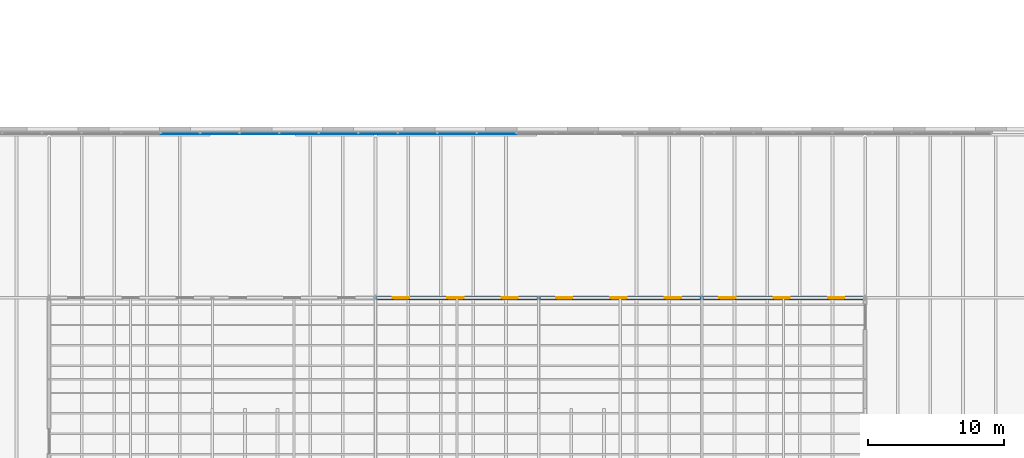
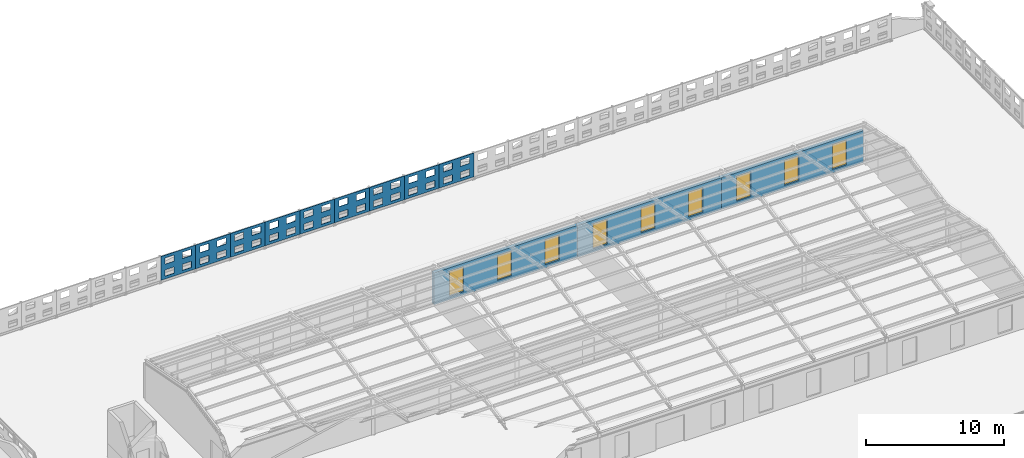
# One storey, part 60 of 91: 12 walls, 9 windows, 45 openings.
"""IFC4 building model written with IfcOpenShell, lengths in metres."""

from ifc_helpers import new_model, si_unit, direction, frame, frame_2d, origin, place, context, subcontext, project, spatial, rectangle, extrude, material, layer, layer_set, type_object, element, fill, save


model = new_model("IFC4")

# Units and contexts
model_context = context("Model", 3, precision=1e-05, world=origin(), true_north=direction((0.0, 1.0)))
body_context = subcontext(model_context, "Body", "Model", "MODEL_VIEW")
ifc_project = project(units=[si_unit("LENGTHUNIT", "METRE"), si_unit("AREAUNIT", "SQUARE_METRE"), si_unit("VOLUMEUNIT", "CUBIC_METRE"), si_unit("PLANEANGLEUNIT", "RADIAN"), si_unit("MASSUNIT", "GRAM", prefix="KILO")], contexts=[model_context])

# Site, building, storey
site_placement = place(None, origin())
site = spatial("IfcSite", under=ifc_project, at=site_placement, CompositionType="ELEMENT")
building_placement = place(site_placement, origin())
building = spatial("IfcBuilding", under=site, at=building_placement, Name="Ravi Spectrum Wholesale Market", CompositionType="ELEMENT")
storey_placement = place(building_placement, frame((0.0, 0.0, 16.199951171875)))
storey = spatial("IfcBuildingStorey", under=building, at=storey_placement, Name="ROOF PLANT LEVEL", CompositionType="ELEMENT", Elevation=16.199951171875)

# Wall, openings, windows
ifc_material_1 = material(Name="Clinker brickwork", Category="masonry")
ifc_layer_1 = layer(ifc_material_1, 0.300048828125)
ifc_layer_set_1 = layer_set([ifc_layer_1], Name="Clinker brickwork")
wall_type_1 = type_object("IfcWallType", Name="Brick 300 plant house", PredefinedType="SOLIDWALL", material=ifc_layer_set_1)
wall_1_placement = place(storey_placement, frame((234.0, 54.0, 0.0), z_axis=(0.0, 0.0, 1.0), x_axis=(1.0, 0.0, 0.0)))
wall_1 = element("IfcWall", 1, at=wall_1_placement, inside=storey, type_object=wall_type_1, Name="CS-WL-ROOF-119", PredefinedType="SOLIDWALL", context=body_context, shape_type="SweptSolid", body=[
    extrude(rectangle(XDim=12.0, YDim=0.300048828125, at=frame_2d((6.0, 0.0))), origin(), (0.0, 0.0, 1.0), 2.812255859375),
])
opening_1_placement = place(wall_1_placement, frame((1.280029296875, 0.0, 0.300048828125)))
opening_1 = element("IfcOpeningElement", 2, at=opening_1_placement, cuts=wall_1, Name="Opening W2679", PredefinedType="OPENING", context=body_context, shape_type="SweptSolid", body=[
    extrude(rectangle(XDim=1.199951171875, YDim=2.199951171875, at=frame_2d((0.60009765625, 1.10009765625))), frame((0.0, 0.159912109375, 0.0), z_axis=(0.0, -1.0, 0.0), x_axis=(1.0, 0.0, 0.0)), (0.0, 0.0, 1.0), 0.320068359375),
])
opening_2_placement = place(wall_1_placement, frame((5.280029296875, 0.0, 0.300048828125)))
opening_2 = element("IfcOpeningElement", 3, at=opening_2_placement, cuts=wall_1, Name="Opening W2680", PredefinedType="OPENING", context=body_context, shape_type="SweptSolid", body=[
    extrude(rectangle(XDim=1.199951171875, YDim=2.199951171875, at=frame_2d((0.60009765625, 1.10009765625))), frame((0.0, 0.159912109375, 0.0), z_axis=(0.0, -1.0, 0.0), x_axis=(1.0, 0.0, 0.0)), (0.0, 0.0, 1.0), 0.320068359375),
])
opening_3_placement = place(wall_1_placement, frame((9.280029296875, 0.0, 0.300048828125)))
opening_3 = element("IfcOpeningElement", 4, at=opening_3_placement, cuts=wall_1, Name="Opening W2681", PredefinedType="OPENING", context=body_context, shape_type="SweptSolid", body=[
    extrude(rectangle(XDim=1.199951171875, YDim=2.199951171875, at=frame_2d((0.60009765625, 1.10009765625))), frame((0.0, 0.159912109375, 0.0), z_axis=(0.0, -1.0, 0.0), x_axis=(1.0, 0.0, 0.0)), (0.0, 0.0, 1.0), 0.320068359375),
])
ifc_material_2 = material(Name="Galvanised steel louvre", Category="steel")
window_type = type_object("IfcWindowType", Name="Plant louvre 1200 x 2200", PartitioningType="SINGLE_PANEL", PredefinedType="WINDOW", material=ifc_material_2)
window_1_placement = place(opening_1_placement, origin())
window_1 = element("IfcWindow", 5, at=window_1_placement, inside=storey, type_object=window_type, Name="Window W2679", OverallHeight=2.199951171875, OverallWidth=1.199951171875, PartitioningType="SINGLE_PANEL", PredefinedType="WINDOW", context=body_context, shape_type="SweptSolid", body=[
    extrude(rectangle(XDim=1.199951171875, YDim=2.199951171875, at=frame_2d((0.60009765625, 1.10009765625))), frame((0.0, 0.030029296875, 0.0), z_axis=(0.0, -1.0, 0.0), x_axis=(1.0, 0.0, 0.0)), (0.0, 0.0, 1.0), 0.06005859375),
])
fill(opening_1, window_1)
window_2_placement = place(opening_2_placement, origin())
window_2 = element("IfcWindow", 6, at=window_2_placement, inside=storey, type_object=window_type, Name="Window W2680", OverallHeight=2.199951171875, OverallWidth=1.199951171875, PartitioningType="SINGLE_PANEL", PredefinedType="WINDOW", context=body_context, shape_type="SweptSolid", body=[
    extrude(rectangle(XDim=1.199951171875, YDim=2.199951171875, at=frame_2d((0.60009765625, 1.10009765625))), frame((0.0, 0.030029296875, 0.0), z_axis=(0.0, -1.0, 0.0), x_axis=(1.0, 0.0, 0.0)), (0.0, 0.0, 1.0), 0.06005859375),
])
fill(opening_2, window_2)
window_3_placement = place(opening_3_placement, origin())
window_3 = element("IfcWindow", 7, at=window_3_placement, inside=storey, type_object=window_type, Name="Window W2681", OverallHeight=2.199951171875, OverallWidth=1.199951171875, PartitioningType="SINGLE_PANEL", PredefinedType="WINDOW", context=body_context, shape_type="SweptSolid", body=[
    extrude(rectangle(XDim=1.199951171875, YDim=2.199951171875, at=frame_2d((0.60009765625, 1.10009765625))), frame((0.0, 0.030029296875, 0.0), z_axis=(0.0, -1.0, 0.0), x_axis=(1.0, 0.0, 0.0)), (0.0, 0.0, 1.0), 0.06005859375),
])
fill(opening_3, window_3)

wall_2_placement = place(storey_placement, frame((246.0, 54.0, 0.0), z_axis=(0.0, 0.0, 1.0), x_axis=(1.0, 0.0, 0.0)))
wall_2 = element("IfcWall", 8, at=wall_2_placement, inside=storey, type_object=wall_type_1, Name="CS-WL-ROOF-120", PredefinedType="SOLIDWALL", context=body_context, shape_type="SweptSolid", body=[
    extrude(rectangle(XDim=12.0, YDim=0.300048828125, at=frame_2d((6.0, 0.0))), origin(), (0.0, 0.0, 1.0), 2.812255859375),
])
opening_4_placement = place(wall_2_placement, frame((1.280029296875, 0.0, 0.300048828125)))
opening_4 = element("IfcOpeningElement", 9, at=opening_4_placement, cuts=wall_2, Name="Opening W2682", PredefinedType="OPENING", context=body_context, shape_type="SweptSolid", body=[
    extrude(rectangle(XDim=1.199951171875, YDim=2.199951171875, at=frame_2d((0.60009765625, 1.10009765625))), frame((0.0, 0.159912109375, 0.0), z_axis=(0.0, -1.0, 0.0), x_axis=(1.0, 0.0, 0.0)), (0.0, 0.0, 1.0), 0.320068359375),
])
opening_5_placement = place(wall_2_placement, frame((5.280029296875, 0.0, 0.300048828125)))
opening_5 = element("IfcOpeningElement", 10, at=opening_5_placement, cuts=wall_2, Name="Opening W2683", PredefinedType="OPENING", context=body_context, shape_type="SweptSolid", body=[
    extrude(rectangle(XDim=1.199951171875, YDim=2.199951171875, at=frame_2d((0.60009765625, 1.10009765625))), frame((0.0, 0.159912109375, 0.0), z_axis=(0.0, -1.0, 0.0), x_axis=(1.0, 0.0, 0.0)), (0.0, 0.0, 1.0), 0.320068359375),
])
opening_6_placement = place(wall_2_placement, frame((9.280029296875, 0.0, 0.300048828125)))
opening_6 = element("IfcOpeningElement", 11, at=opening_6_placement, cuts=wall_2, Name="Opening W2684", PredefinedType="OPENING", context=body_context, shape_type="SweptSolid", body=[
    extrude(rectangle(XDim=1.199951171875, YDim=2.199951171875, at=frame_2d((0.60009765625, 1.10009765625))), frame((0.0, 0.159912109375, 0.0), z_axis=(0.0, -1.0, 0.0), x_axis=(1.0, 0.0, 0.0)), (0.0, 0.0, 1.0), 0.320068359375),
])
window_4_placement = place(opening_4_placement, origin())
window_4 = element("IfcWindow", 12, at=window_4_placement, inside=storey, type_object=window_type, Name="Window W2682", OverallHeight=2.199951171875, OverallWidth=1.199951171875, PartitioningType="SINGLE_PANEL", PredefinedType="WINDOW", context=body_context, shape_type="SweptSolid", body=[
    extrude(rectangle(XDim=1.199951171875, YDim=2.199951171875, at=frame_2d((0.60009765625, 1.10009765625))), frame((0.0, 0.030029296875, 0.0), z_axis=(0.0, -1.0, 0.0), x_axis=(1.0, 0.0, 0.0)), (0.0, 0.0, 1.0), 0.06005859375),
])
fill(opening_4, window_4)
window_5_placement = place(opening_5_placement, origin())
window_5 = element("IfcWindow", 13, at=window_5_placement, inside=storey, type_object=window_type, Name="Window W2683", OverallHeight=2.199951171875, OverallWidth=1.199951171875, PartitioningType="SINGLE_PANEL", PredefinedType="WINDOW", context=body_context, shape_type="SweptSolid", body=[
    extrude(rectangle(XDim=1.199951171875, YDim=2.199951171875, at=frame_2d((0.60009765625, 1.10009765625))), frame((0.0, 0.030029296875, 0.0), z_axis=(0.0, -1.0, 0.0), x_axis=(1.0, 0.0, 0.0)), (0.0, 0.0, 1.0), 0.06005859375),
])
fill(opening_5, window_5)
window_6_placement = place(opening_6_placement, origin())
window_6 = element("IfcWindow", 14, at=window_6_placement, inside=storey, type_object=window_type, Name="Window W2684", OverallHeight=2.199951171875, OverallWidth=1.199951171875, PartitioningType="SINGLE_PANEL", PredefinedType="WINDOW", context=body_context, shape_type="SweptSolid", body=[
    extrude(rectangle(XDim=1.199951171875, YDim=2.199951171875, at=frame_2d((0.60009765625, 1.10009765625))), frame((0.0, 0.030029296875, 0.0), z_axis=(0.0, -1.0, 0.0), x_axis=(1.0, 0.0, 0.0)), (0.0, 0.0, 1.0), 0.06005859375),
])
fill(opening_6, window_6)

wall_3_placement = place(storey_placement, frame((258.0, 54.0, 0.0), z_axis=(0.0, 0.0, 1.0), x_axis=(1.0, 0.0, 0.0)))
wall_3 = element("IfcWall", 15, at=wall_3_placement, inside=storey, type_object=wall_type_1, Name="CS-WL-ROOF-121", PredefinedType="SOLIDWALL", context=body_context, shape_type="SweptSolid", body=[
    extrude(rectangle(XDim=11.8798828125, YDim=0.300048828125, at=frame_2d((5.93994140625, 0.0))), origin(), (0.0, 0.0, 1.0), 2.812255859375),
])
opening_7_placement = place(wall_3_placement, frame((1.280029296875, 0.0, 0.300048828125)))
opening_7 = element("IfcOpeningElement", 16, at=opening_7_placement, cuts=wall_3, Name="Opening W2685", PredefinedType="OPENING", context=body_context, shape_type="SweptSolid", body=[
    extrude(rectangle(XDim=1.199951171875, YDim=2.199951171875, at=frame_2d((0.60009765625, 1.10009765625))), frame((0.0, 0.159912109375, 0.0), z_axis=(0.0, -1.0, 0.0), x_axis=(1.0, 0.0, 0.0)), (0.0, 0.0, 1.0), 0.320068359375),
])
opening_8_placement = place(wall_3_placement, frame((5.280029296875, 0.0, 0.300048828125)))
opening_8 = element("IfcOpeningElement", 17, at=opening_8_placement, cuts=wall_3, Name="Opening W2686", PredefinedType="OPENING", context=body_context, shape_type="SweptSolid", body=[
    extrude(rectangle(XDim=1.199951171875, YDim=2.199951171875, at=frame_2d((0.60009765625, 1.10009765625))), frame((0.0, 0.159912109375, 0.0), z_axis=(0.0, -1.0, 0.0), x_axis=(1.0, 0.0, 0.0)), (0.0, 0.0, 1.0), 0.320068359375),
])
opening_9_placement = place(wall_3_placement, frame((9.280029296875, 0.0, 0.300048828125)))
opening_9 = element("IfcOpeningElement", 18, at=opening_9_placement, cuts=wall_3, Name="Opening W2687", PredefinedType="OPENING", context=body_context, shape_type="SweptSolid", body=[
    extrude(rectangle(XDim=1.199951171875, YDim=2.199951171875, at=frame_2d((0.60009765625, 1.10009765625))), frame((0.0, 0.159912109375, 0.0), z_axis=(0.0, -1.0, 0.0), x_axis=(1.0, 0.0, 0.0)), (0.0, 0.0, 1.0), 0.320068359375),
])
window_7_placement = place(opening_7_placement, origin())
window_7 = element("IfcWindow", 19, at=window_7_placement, inside=storey, type_object=window_type, Name="Window W2685", OverallHeight=2.199951171875, OverallWidth=1.199951171875, PartitioningType="SINGLE_PANEL", PredefinedType="WINDOW", context=body_context, shape_type="SweptSolid", body=[
    extrude(rectangle(XDim=1.199951171875, YDim=2.199951171875, at=frame_2d((0.60009765625, 1.10009765625))), frame((0.0, 0.030029296875, 0.0), z_axis=(0.0, -1.0, 0.0), x_axis=(1.0, 0.0, 0.0)), (0.0, 0.0, 1.0), 0.06005859375),
])
fill(opening_7, window_7)
window_8_placement = place(opening_8_placement, origin())
window_8 = element("IfcWindow", 20, at=window_8_placement, inside=storey, type_object=window_type, Name="Window W2686", OverallHeight=2.199951171875, OverallWidth=1.199951171875, PartitioningType="SINGLE_PANEL", PredefinedType="WINDOW", context=body_context, shape_type="SweptSolid", body=[
    extrude(rectangle(XDim=1.199951171875, YDim=2.199951171875, at=frame_2d((0.60009765625, 1.10009765625))), frame((0.0, 0.030029296875, 0.0), z_axis=(0.0, -1.0, 0.0), x_axis=(1.0, 0.0, 0.0)), (0.0, 0.0, 1.0), 0.06005859375),
])
fill(opening_8, window_8)
window_9_placement = place(opening_9_placement, origin())
window_9 = element("IfcWindow", 21, at=window_9_placement, inside=storey, type_object=window_type, Name="Window W2687", OverallHeight=2.199951171875, OverallWidth=1.199951171875, PartitioningType="SINGLE_PANEL", PredefinedType="WINDOW", context=body_context, shape_type="SweptSolid", body=[
    extrude(rectangle(XDim=1.199951171875, YDim=2.199951171875, at=frame_2d((0.60009765625, 1.10009765625))), frame((0.0, 0.030029296875, 0.0), z_axis=(0.0, -1.0, 0.0), x_axis=(1.0, 0.0, 0.0)), (0.0, 0.0, 1.0), 0.06005859375),
])
fill(opening_9, window_9)

# Wall, openings
ifc_material_3 = material(Name="Aluminium perforated plate", Category="aluminium")
ifc_layer_2 = layer(ifc_material_3, 0.030029296875)
ifc_layer_set_2 = layer_set([ifc_layer_2], Name="Aluminium perforated plate")
wall_type_2 = type_object("IfcWallType", Name="Perforated screen panel 30", PredefinedType="SOLIDWALL", material=ifc_layer_set_2)
wall_4_placement = place(storey_placement, frame((244.3603515625, 66.05078125, 0.300048828125), z_axis=(0.0, 0.0, 1.0), x_axis=(-1.0, 0.0, 0.0)))
wall_4 = element("IfcWall", 22, at=wall_4_placement, inside=storey, type_object=wall_type_2, Name="CS-WL-ROOF-078", PredefinedType="SOLIDWALL", context=body_context, shape_type="SweptSolid", body=[
    extrude(rectangle(XDim=2.906982421875, YDim=0.030029296875, at=frame_2d((1.45361328125, 0.0))), origin(), (0.0, 0.0, 1.0), 2.10009765625),
])
opening_10_placement = place(wall_4_placement, frame((0.35009765625, 0.0, 0.25)))
element("IfcOpeningElement", 23, at=opening_10_placement, cuts=wall_4, Name="Opening CS-OP-ROOF-229", PredefinedType="OPENING", context=body_context, shape_type="SweptSolid", body=[
    extrude(rectangle(XDim=0.75341796875, YDim=0.550048828125, at=frame_2d((0.376708984375, 0.27490234375))), frame((0.0, 0.02490234375, 0.0), z_axis=(0.0, -1.0, 0.0), x_axis=(1.0, 0.0, 0.0)), (0.0, 0.0, 1.0), 0.050048828125),
])
opening_11_placement = place(wall_4_placement, frame((0.35009765625, 0.0, 1.300048828125)))
element("IfcOpeningElement", 24, at=opening_11_placement, cuts=wall_4, Name="Opening CS-OP-ROOF-230", PredefinedType="OPENING", context=body_context, shape_type="SweptSolid", body=[
    extrude(rectangle(XDim=0.75341796875, YDim=0.550048828125, at=frame_2d((0.376708984375, 0.27490234375))), frame((0.0, 0.02490234375, 0.0), z_axis=(0.0, -1.0, 0.0), x_axis=(1.0, 0.0, 0.0)), (0.0, 0.0, 1.0), 0.050048828125),
])
opening_12_placement = place(wall_4_placement, frame((1.803466796875, 0.0, 0.25)))
element("IfcOpeningElement", 25, at=opening_12_placement, cuts=wall_4, Name="Opening CS-OP-ROOF-231", PredefinedType="OPENING", context=body_context, shape_type="SweptSolid", body=[
    extrude(rectangle(XDim=0.75341796875, YDim=0.550048828125, at=frame_2d((0.376708984375, 0.27490234375))), frame((0.0, 0.02490234375, 0.0), z_axis=(0.0, -1.0, 0.0), x_axis=(1.0, 0.0, 0.0)), (0.0, 0.0, 1.0), 0.050048828125),
])
opening_13_placement = place(wall_4_placement, frame((1.803466796875, 0.0, 1.300048828125)))
element("IfcOpeningElement", 26, at=opening_13_placement, cuts=wall_4, Name="Opening CS-OP-ROOF-232", PredefinedType="OPENING", context=body_context, shape_type="SweptSolid", body=[
    extrude(rectangle(XDim=0.75341796875, YDim=0.550048828125, at=frame_2d((0.376708984375, 0.27490234375))), frame((0.0, 0.02490234375, 0.0), z_axis=(0.0, -1.0, 0.0), x_axis=(1.0, 0.0, 0.0)), (0.0, 0.0, 1.0), 0.050048828125),
])

wall_5_placement = place(storey_placement, frame((241.453369140625, 66.05078125, 0.300048828125), z_axis=(0.0, 0.0, 1.0), x_axis=(-1.0, 0.0, 0.0)))
wall_5 = element("IfcWall", 27, at=wall_5_placement, inside=storey, type_object=wall_type_2, Name="CS-WL-ROOF-079", PredefinedType="SOLIDWALL", context=body_context, shape_type="SweptSolid", body=[
    extrude(rectangle(XDim=2.90673828125, YDim=0.030029296875, at=frame_2d((1.453369140625, 0.0))), origin(), (0.0, 0.0, 1.0), 2.10009765625),
])
opening_14_placement = place(wall_5_placement, frame((0.35009765625, 0.0, 0.25)))
element("IfcOpeningElement", 28, at=opening_14_placement, cuts=wall_5, Name="Opening CS-OP-ROOF-233", PredefinedType="OPENING", context=body_context, shape_type="SweptSolid", body=[
    extrude(rectangle(XDim=0.75341796875, YDim=0.550048828125, at=frame_2d((0.376708984375, 0.27490234375))), frame((0.0, 0.02490234375, 0.0), z_axis=(0.0, -1.0, 0.0), x_axis=(1.0, 0.0, 0.0)), (0.0, 0.0, 1.0), 0.050048828125),
])
opening_15_placement = place(wall_5_placement, frame((0.35009765625, 0.0, 1.300048828125)))
element("IfcOpeningElement", 29, at=opening_15_placement, cuts=wall_5, Name="Opening CS-OP-ROOF-234", PredefinedType="OPENING", context=body_context, shape_type="SweptSolid", body=[
    extrude(rectangle(XDim=0.75341796875, YDim=0.550048828125, at=frame_2d((0.376708984375, 0.27490234375))), frame((0.0, 0.02490234375, 0.0), z_axis=(0.0, -1.0, 0.0), x_axis=(1.0, 0.0, 0.0)), (0.0, 0.0, 1.0), 0.050048828125),
])
opening_16_placement = place(wall_5_placement, frame((1.803466796875, 0.0, 0.25)))
element("IfcOpeningElement", 30, at=opening_16_placement, cuts=wall_5, Name="Opening CS-OP-ROOF-235", PredefinedType="OPENING", context=body_context, shape_type="SweptSolid", body=[
    extrude(rectangle(XDim=0.75341796875, YDim=0.550048828125, at=frame_2d((0.376708984375, 0.27490234375))), frame((0.0, 0.02490234375, 0.0), z_axis=(0.0, -1.0, 0.0), x_axis=(1.0, 0.0, 0.0)), (0.0, 0.0, 1.0), 0.050048828125),
])
opening_17_placement = place(wall_5_placement, frame((1.803466796875, 0.0, 1.300048828125)))
element("IfcOpeningElement", 31, at=opening_17_placement, cuts=wall_5, Name="Opening CS-OP-ROOF-236", PredefinedType="OPENING", context=body_context, shape_type="SweptSolid", body=[
    extrude(rectangle(XDim=0.75341796875, YDim=0.550048828125, at=frame_2d((0.376708984375, 0.27490234375))), frame((0.0, 0.02490234375, 0.0), z_axis=(0.0, -1.0, 0.0), x_axis=(1.0, 0.0, 0.0)), (0.0, 0.0, 1.0), 0.050048828125),
])

wall_6_placement = place(storey_placement, frame((238.546630859375, 66.05078125, 0.300048828125), z_axis=(0.0, 0.0, 1.0), x_axis=(-1.0, 0.0, 0.0)))
wall_6 = element("IfcWall", 32, at=wall_6_placement, inside=storey, type_object=wall_type_2, Name="CS-WL-ROOF-080", PredefinedType="SOLIDWALL", context=body_context, shape_type="SweptSolid", body=[
    extrude(rectangle(XDim=2.906982421875, YDim=0.030029296875, at=frame_2d((1.45361328125, 0.0))), origin(), (0.0, 0.0, 1.0), 2.10009765625),
])
opening_18_placement = place(wall_6_placement, frame((0.35009765625, 0.0, 0.25)))
element("IfcOpeningElement", 33, at=opening_18_placement, cuts=wall_6, Name="Opening CS-OP-ROOF-237", PredefinedType="OPENING", context=body_context, shape_type="SweptSolid", body=[
    extrude(rectangle(XDim=0.75341796875, YDim=0.550048828125, at=frame_2d((0.376708984375, 0.27490234375))), frame((0.0, 0.02490234375, 0.0), z_axis=(0.0, -1.0, 0.0), x_axis=(1.0, 0.0, 0.0)), (0.0, 0.0, 1.0), 0.050048828125),
])
opening_19_placement = place(wall_6_placement, frame((0.35009765625, 0.0, 1.300048828125)))
element("IfcOpeningElement", 34, at=opening_19_placement, cuts=wall_6, Name="Opening CS-OP-ROOF-238", PredefinedType="OPENING", context=body_context, shape_type="SweptSolid", body=[
    extrude(rectangle(XDim=0.75341796875, YDim=0.550048828125, at=frame_2d((0.376708984375, 0.27490234375))), frame((0.0, 0.02490234375, 0.0), z_axis=(0.0, -1.0, 0.0), x_axis=(1.0, 0.0, 0.0)), (0.0, 0.0, 1.0), 0.050048828125),
])
opening_20_placement = place(wall_6_placement, frame((1.803466796875, 0.0, 0.25)))
element("IfcOpeningElement", 35, at=opening_20_placement, cuts=wall_6, Name="Opening CS-OP-ROOF-239", PredefinedType="OPENING", context=body_context, shape_type="SweptSolid", body=[
    extrude(rectangle(XDim=0.75341796875, YDim=0.550048828125, at=frame_2d((0.376708984375, 0.27490234375))), frame((0.0, 0.02490234375, 0.0), z_axis=(0.0, -1.0, 0.0), x_axis=(1.0, 0.0, 0.0)), (0.0, 0.0, 1.0), 0.050048828125),
])
opening_21_placement = place(wall_6_placement, frame((1.803466796875, 0.0, 1.300048828125)))
element("IfcOpeningElement", 36, at=opening_21_placement, cuts=wall_6, Name="Opening CS-OP-ROOF-240", PredefinedType="OPENING", context=body_context, shape_type="SweptSolid", body=[
    extrude(rectangle(XDim=0.75341796875, YDim=0.550048828125, at=frame_2d((0.376708984375, 0.27490234375))), frame((0.0, 0.02490234375, 0.0), z_axis=(0.0, -1.0, 0.0), x_axis=(1.0, 0.0, 0.0)), (0.0, 0.0, 1.0), 0.050048828125),
])

wall_7_placement = place(storey_placement, frame((235.6396484375, 66.05078125, 0.300048828125), z_axis=(0.0, 0.0, 1.0), x_axis=(-1.0, 0.0, 0.0)))
wall_7 = element("IfcWall", 37, at=wall_7_placement, inside=storey, type_object=wall_type_2, Name="CS-WL-ROOF-081", PredefinedType="SOLIDWALL", context=body_context, shape_type="SweptSolid", body=[
    extrude(rectangle(XDim=2.906982421875, YDim=0.030029296875, at=frame_2d((1.45361328125, 0.0))), origin(), (0.0, 0.0, 1.0), 2.10009765625),
])
opening_22_placement = place(wall_7_placement, frame((0.35009765625, 0.0, 0.25)))
element("IfcOpeningElement", 38, at=opening_22_placement, cuts=wall_7, Name="Opening CS-OP-ROOF-241", PredefinedType="OPENING", context=body_context, shape_type="SweptSolid", body=[
    extrude(rectangle(XDim=0.75341796875, YDim=0.550048828125, at=frame_2d((0.376708984375, 0.27490234375))), frame((0.0, 0.02490234375, 0.0), z_axis=(0.0, -1.0, 0.0), x_axis=(1.0, 0.0, 0.0)), (0.0, 0.0, 1.0), 0.050048828125),
])
opening_23_placement = place(wall_7_placement, frame((0.35009765625, 0.0, 1.300048828125)))
element("IfcOpeningElement", 39, at=opening_23_placement, cuts=wall_7, Name="Opening CS-OP-ROOF-242", PredefinedType="OPENING", context=body_context, shape_type="SweptSolid", body=[
    extrude(rectangle(XDim=0.75341796875, YDim=0.550048828125, at=frame_2d((0.376708984375, 0.27490234375))), frame((0.0, 0.02490234375, 0.0), z_axis=(0.0, -1.0, 0.0), x_axis=(1.0, 0.0, 0.0)), (0.0, 0.0, 1.0), 0.050048828125),
])
opening_24_placement = place(wall_7_placement, frame((1.803466796875, 0.0, 0.25)))
element("IfcOpeningElement", 40, at=opening_24_placement, cuts=wall_7, Name="Opening CS-OP-ROOF-243", PredefinedType="OPENING", context=body_context, shape_type="SweptSolid", body=[
    extrude(rectangle(XDim=0.75341796875, YDim=0.550048828125, at=frame_2d((0.376708984375, 0.27490234375))), frame((0.0, 0.02490234375, 0.0), z_axis=(0.0, -1.0, 0.0), x_axis=(1.0, 0.0, 0.0)), (0.0, 0.0, 1.0), 0.050048828125),
])
opening_25_placement = place(wall_7_placement, frame((1.803466796875, 0.0, 1.300048828125)))
element("IfcOpeningElement", 41, at=opening_25_placement, cuts=wall_7, Name="Opening CS-OP-ROOF-244", PredefinedType="OPENING", context=body_context, shape_type="SweptSolid", body=[
    extrude(rectangle(XDim=0.75341796875, YDim=0.550048828125, at=frame_2d((0.376708984375, 0.27490234375))), frame((0.0, 0.02490234375, 0.0), z_axis=(0.0, -1.0, 0.0), x_axis=(1.0, 0.0, 0.0)), (0.0, 0.0, 1.0), 0.050048828125),
])

wall_8_placement = place(storey_placement, frame((232.732666015625, 66.05078125, 0.300048828125), z_axis=(0.0, 0.0, 1.0), x_axis=(-1.0, 0.0, 0.0)))
wall_8 = element("IfcWall", 42, at=wall_8_placement, inside=storey, type_object=wall_type_2, Name="CS-WL-ROOF-082", PredefinedType="SOLIDWALL", context=body_context, shape_type="SweptSolid", body=[
    extrude(rectangle(XDim=2.90673828125, YDim=0.030029296875, at=frame_2d((1.453369140625, 0.0))), origin(), (0.0, 0.0, 1.0), 2.10009765625),
])
opening_26_placement = place(wall_8_placement, frame((0.35009765625, 0.0, 0.25)))
element("IfcOpeningElement", 43, at=opening_26_placement, cuts=wall_8, Name="Opening CS-OP-ROOF-245", PredefinedType="OPENING", context=body_context, shape_type="SweptSolid", body=[
    extrude(rectangle(XDim=0.75341796875, YDim=0.550048828125, at=frame_2d((0.376708984375, 0.27490234375))), frame((0.0, 0.02490234375, 0.0), z_axis=(0.0, -1.0, 0.0), x_axis=(1.0, 0.0, 0.0)), (0.0, 0.0, 1.0), 0.050048828125),
])
opening_27_placement = place(wall_8_placement, frame((0.35009765625, 0.0, 1.300048828125)))
element("IfcOpeningElement", 44, at=opening_27_placement, cuts=wall_8, Name="Opening CS-OP-ROOF-246", PredefinedType="OPENING", context=body_context, shape_type="SweptSolid", body=[
    extrude(rectangle(XDim=0.75341796875, YDim=0.550048828125, at=frame_2d((0.376708984375, 0.27490234375))), frame((0.0, 0.02490234375, 0.0), z_axis=(0.0, -1.0, 0.0), x_axis=(1.0, 0.0, 0.0)), (0.0, 0.0, 1.0), 0.050048828125),
])
opening_28_placement = place(wall_8_placement, frame((1.803466796875, 0.0, 0.25)))
element("IfcOpeningElement", 45, at=opening_28_placement, cuts=wall_8, Name="Opening CS-OP-ROOF-247", PredefinedType="OPENING", context=body_context, shape_type="SweptSolid", body=[
    extrude(rectangle(XDim=0.75341796875, YDim=0.550048828125, at=frame_2d((0.376708984375, 0.27490234375))), frame((0.0, 0.02490234375, 0.0), z_axis=(0.0, -1.0, 0.0), x_axis=(1.0, 0.0, 0.0)), (0.0, 0.0, 1.0), 0.050048828125),
])
opening_29_placement = place(wall_8_placement, frame((1.803466796875, 0.0, 1.300048828125)))
element("IfcOpeningElement", 46, at=opening_29_placement, cuts=wall_8, Name="Opening CS-OP-ROOF-248", PredefinedType="OPENING", context=body_context, shape_type="SweptSolid", body=[
    extrude(rectangle(XDim=0.75341796875, YDim=0.550048828125, at=frame_2d((0.376708984375, 0.27490234375))), frame((0.0, 0.02490234375, 0.0), z_axis=(0.0, -1.0, 0.0), x_axis=(1.0, 0.0, 0.0)), (0.0, 0.0, 1.0), 0.050048828125),
])

wall_9_placement = place(storey_placement, frame((229.825927734375, 66.05078125, 0.300048828125), z_axis=(0.0, 0.0, 1.0), x_axis=(-1.0, 0.0, 0.0)))
wall_9 = element("IfcWall", 47, at=wall_9_placement, inside=storey, type_object=wall_type_2, Name="CS-WL-ROOF-083", PredefinedType="SOLIDWALL", context=body_context, shape_type="SweptSolid", body=[
    extrude(rectangle(XDim=2.906982421875, YDim=0.030029296875, at=frame_2d((1.45361328125, 0.0))), origin(), (0.0, 0.0, 1.0), 2.10009765625),
])
opening_30_placement = place(wall_9_placement, frame((0.35009765625, 0.0, 0.25)))
element("IfcOpeningElement", 48, at=opening_30_placement, cuts=wall_9, Name="Opening CS-OP-ROOF-249", PredefinedType="OPENING", context=body_context, shape_type="SweptSolid", body=[
    extrude(rectangle(XDim=0.75341796875, YDim=0.550048828125, at=frame_2d((0.376708984375, 0.27490234375))), frame((0.0, 0.02490234375, 0.0), z_axis=(0.0, -1.0, 0.0), x_axis=(1.0, 0.0, 0.0)), (0.0, 0.0, 1.0), 0.050048828125),
])
opening_31_placement = place(wall_9_placement, frame((0.35009765625, 0.0, 1.300048828125)))
element("IfcOpeningElement", 49, at=opening_31_placement, cuts=wall_9, Name="Opening CS-OP-ROOF-250", PredefinedType="OPENING", context=body_context, shape_type="SweptSolid", body=[
    extrude(rectangle(XDim=0.75341796875, YDim=0.550048828125, at=frame_2d((0.376708984375, 0.27490234375))), frame((0.0, 0.02490234375, 0.0), z_axis=(0.0, -1.0, 0.0), x_axis=(1.0, 0.0, 0.0)), (0.0, 0.0, 1.0), 0.050048828125),
])
opening_32_placement = place(wall_9_placement, frame((1.803466796875, 0.0, 0.25)))
element("IfcOpeningElement", 50, at=opening_32_placement, cuts=wall_9, Name="Opening CS-OP-ROOF-251", PredefinedType="OPENING", context=body_context, shape_type="SweptSolid", body=[
    extrude(rectangle(XDim=0.75341796875, YDim=0.550048828125, at=frame_2d((0.376708984375, 0.27490234375))), frame((0.0, 0.02490234375, 0.0), z_axis=(0.0, -1.0, 0.0), x_axis=(1.0, 0.0, 0.0)), (0.0, 0.0, 1.0), 0.050048828125),
])
opening_33_placement = place(wall_9_placement, frame((1.803466796875, 0.0, 1.300048828125)))
element("IfcOpeningElement", 51, at=opening_33_placement, cuts=wall_9, Name="Opening CS-OP-ROOF-252", PredefinedType="OPENING", context=body_context, shape_type="SweptSolid", body=[
    extrude(rectangle(XDim=0.75341796875, YDim=0.550048828125, at=frame_2d((0.376708984375, 0.27490234375))), frame((0.0, 0.02490234375, 0.0), z_axis=(0.0, -1.0, 0.0), x_axis=(1.0, 0.0, 0.0)), (0.0, 0.0, 1.0), 0.050048828125),
])

wall_10_placement = place(storey_placement, frame((226.9189453125, 66.05078125, 0.300048828125), z_axis=(0.0, 0.0, 1.0), x_axis=(-1.0, 0.0, 0.0)))
wall_10 = element("IfcWall", 52, at=wall_10_placement, inside=storey, type_object=wall_type_2, Name="CS-WL-ROOF-084", PredefinedType="SOLIDWALL", context=body_context, shape_type="SweptSolid", body=[
    extrude(rectangle(XDim=2.906982421875, YDim=0.030029296875, at=frame_2d((1.45361328125, 0.0))), origin(), (0.0, 0.0, 1.0), 2.10009765625),
])
opening_34_placement = place(wall_10_placement, frame((0.35009765625, 0.0, 0.25)))
element("IfcOpeningElement", 53, at=opening_34_placement, cuts=wall_10, Name="Opening CS-OP-ROOF-253", PredefinedType="OPENING", context=body_context, shape_type="SweptSolid", body=[
    extrude(rectangle(XDim=0.75341796875, YDim=0.550048828125, at=frame_2d((0.376708984375, 0.27490234375))), frame((0.0, 0.02490234375, 0.0), z_axis=(0.0, -1.0, 0.0), x_axis=(1.0, 0.0, 0.0)), (0.0, 0.0, 1.0), 0.050048828125),
])
opening_35_placement = place(wall_10_placement, frame((0.35009765625, 0.0, 1.300048828125)))
element("IfcOpeningElement", 54, at=opening_35_placement, cuts=wall_10, Name="Opening CS-OP-ROOF-254", PredefinedType="OPENING", context=body_context, shape_type="SweptSolid", body=[
    extrude(rectangle(XDim=0.75341796875, YDim=0.550048828125, at=frame_2d((0.376708984375, 0.27490234375))), frame((0.0, 0.02490234375, 0.0), z_axis=(0.0, -1.0, 0.0), x_axis=(1.0, 0.0, 0.0)), (0.0, 0.0, 1.0), 0.050048828125),
])
opening_36_placement = place(wall_10_placement, frame((1.803466796875, 0.0, 0.25)))
element("IfcOpeningElement", 55, at=opening_36_placement, cuts=wall_10, Name="Opening CS-OP-ROOF-255", PredefinedType="OPENING", context=body_context, shape_type="SweptSolid", body=[
    extrude(rectangle(XDim=0.75341796875, YDim=0.550048828125, at=frame_2d((0.376708984375, 0.27490234375))), frame((0.0, 0.02490234375, 0.0), z_axis=(0.0, -1.0, 0.0), x_axis=(1.0, 0.0, 0.0)), (0.0, 0.0, 1.0), 0.050048828125),
])
opening_37_placement = place(wall_10_placement, frame((1.803466796875, 0.0, 1.300048828125)))
element("IfcOpeningElement", 56, at=opening_37_placement, cuts=wall_10, Name="Opening CS-OP-ROOF-256", PredefinedType="OPENING", context=body_context, shape_type="SweptSolid", body=[
    extrude(rectangle(XDim=0.75341796875, YDim=0.550048828125, at=frame_2d((0.376708984375, 0.27490234375))), frame((0.0, 0.02490234375, 0.0), z_axis=(0.0, -1.0, 0.0), x_axis=(1.0, 0.0, 0.0)), (0.0, 0.0, 1.0), 0.050048828125),
])

wall_11_placement = place(storey_placement, frame((224.011962890625, 66.05078125, 0.300048828125), z_axis=(0.0, 0.0, 1.0), x_axis=(-1.0, 0.0, 0.0)))
wall_11 = element("IfcWall", 57, at=wall_11_placement, inside=storey, type_object=wall_type_2, Name="CS-WL-ROOF-085", PredefinedType="SOLIDWALL", context=body_context, shape_type="SweptSolid", body=[
    extrude(rectangle(XDim=2.90673828125, YDim=0.030029296875, at=frame_2d((1.453369140625, 0.0))), origin(), (0.0, 0.0, 1.0), 2.10009765625),
])
opening_38_placement = place(wall_11_placement, frame((0.35009765625, 0.0, 0.25)))
element("IfcOpeningElement", 58, at=opening_38_placement, cuts=wall_11, Name="Opening CS-OP-ROOF-257", PredefinedType="OPENING", context=body_context, shape_type="SweptSolid", body=[
    extrude(rectangle(XDim=0.75341796875, YDim=0.550048828125, at=frame_2d((0.376708984375, 0.27490234375))), frame((0.0, 0.02490234375, 0.0), z_axis=(0.0, -1.0, 0.0), x_axis=(1.0, 0.0, 0.0)), (0.0, 0.0, 1.0), 0.050048828125),
])
opening_39_placement = place(wall_11_placement, frame((0.35009765625, 0.0, 1.300048828125)))
element("IfcOpeningElement", 59, at=opening_39_placement, cuts=wall_11, Name="Opening CS-OP-ROOF-258", PredefinedType="OPENING", context=body_context, shape_type="SweptSolid", body=[
    extrude(rectangle(XDim=0.75341796875, YDim=0.550048828125, at=frame_2d((0.376708984375, 0.27490234375))), frame((0.0, 0.02490234375, 0.0), z_axis=(0.0, -1.0, 0.0), x_axis=(1.0, 0.0, 0.0)), (0.0, 0.0, 1.0), 0.050048828125),
])
opening_40_placement = place(wall_11_placement, frame((1.803466796875, 0.0, 0.25)))
element("IfcOpeningElement", 60, at=opening_40_placement, cuts=wall_11, Name="Opening CS-OP-ROOF-259", PredefinedType="OPENING", context=body_context, shape_type="SweptSolid", body=[
    extrude(rectangle(XDim=0.75341796875, YDim=0.550048828125, at=frame_2d((0.376708984375, 0.27490234375))), frame((0.0, 0.02490234375, 0.0), z_axis=(0.0, -1.0, 0.0), x_axis=(1.0, 0.0, 0.0)), (0.0, 0.0, 1.0), 0.050048828125),
])
opening_41_placement = place(wall_11_placement, frame((1.803466796875, 0.0, 1.300048828125)))
element("IfcOpeningElement", 61, at=opening_41_placement, cuts=wall_11, Name="Opening CS-OP-ROOF-260", PredefinedType="OPENING", context=body_context, shape_type="SweptSolid", body=[
    extrude(rectangle(XDim=0.75341796875, YDim=0.550048828125, at=frame_2d((0.376708984375, 0.27490234375))), frame((0.0, 0.02490234375, 0.0), z_axis=(0.0, -1.0, 0.0), x_axis=(1.0, 0.0, 0.0)), (0.0, 0.0, 1.0), 0.050048828125),
])

wall_12_placement = place(storey_placement, frame((221.105224609375, 66.05078125, 0.300048828125), z_axis=(0.0, 0.0, 1.0), x_axis=(-1.0, 0.0, 0.0)))
wall_12 = element("IfcWall", 62, at=wall_12_placement, inside=storey, type_object=wall_type_2, Name="CS-WL-ROOF-086", PredefinedType="SOLIDWALL", context=body_context, shape_type="SweptSolid", body=[
    extrude(rectangle(XDim=2.906982421875, YDim=0.030029296875, at=frame_2d((1.45361328125, 0.0))), origin(), (0.0, 0.0, 1.0), 2.10009765625),
])
opening_42_placement = place(wall_12_placement, frame((0.35009765625, 0.0, 0.25)))
element("IfcOpeningElement", 63, at=opening_42_placement, cuts=wall_12, Name="Opening CS-OP-ROOF-261", PredefinedType="OPENING", context=body_context, shape_type="SweptSolid", body=[
    extrude(rectangle(XDim=0.75341796875, YDim=0.550048828125, at=frame_2d((0.376708984375, 0.27490234375))), frame((0.0, 0.02490234375, 0.0), z_axis=(0.0, -1.0, 0.0), x_axis=(1.0, 0.0, 0.0)), (0.0, 0.0, 1.0), 0.050048828125),
])
opening_43_placement = place(wall_12_placement, frame((0.35009765625, 0.0, 1.300048828125)))
element("IfcOpeningElement", 64, at=opening_43_placement, cuts=wall_12, Name="Opening CS-OP-ROOF-262", PredefinedType="OPENING", context=body_context, shape_type="SweptSolid", body=[
    extrude(rectangle(XDim=0.75341796875, YDim=0.550048828125, at=frame_2d((0.376708984375, 0.27490234375))), frame((0.0, 0.02490234375, 0.0), z_axis=(0.0, -1.0, 0.0), x_axis=(1.0, 0.0, 0.0)), (0.0, 0.0, 1.0), 0.050048828125),
])
opening_44_placement = place(wall_12_placement, frame((1.803466796875, 0.0, 0.25)))
element("IfcOpeningElement", 65, at=opening_44_placement, cuts=wall_12, Name="Opening CS-OP-ROOF-263", PredefinedType="OPENING", context=body_context, shape_type="SweptSolid", body=[
    extrude(rectangle(XDim=0.75341796875, YDim=0.550048828125, at=frame_2d((0.376708984375, 0.27490234375))), frame((0.0, 0.02490234375, 0.0), z_axis=(0.0, -1.0, 0.0), x_axis=(1.0, 0.0, 0.0)), (0.0, 0.0, 1.0), 0.050048828125),
])
opening_45_placement = place(wall_12_placement, frame((1.803466796875, 0.0, 1.300048828125)))
element("IfcOpeningElement", 66, at=opening_45_placement, cuts=wall_12, Name="Opening CS-OP-ROOF-264", PredefinedType="OPENING", context=body_context, shape_type="SweptSolid", body=[
    extrude(rectangle(XDim=0.75341796875, YDim=0.550048828125, at=frame_2d((0.376708984375, 0.27490234375))), frame((0.0, 0.02490234375, 0.0), z_axis=(0.0, -1.0, 0.0), x_axis=(1.0, 0.0, 0.0)), (0.0, 0.0, 1.0), 0.050048828125),
])

save(model, "model.ifc")
